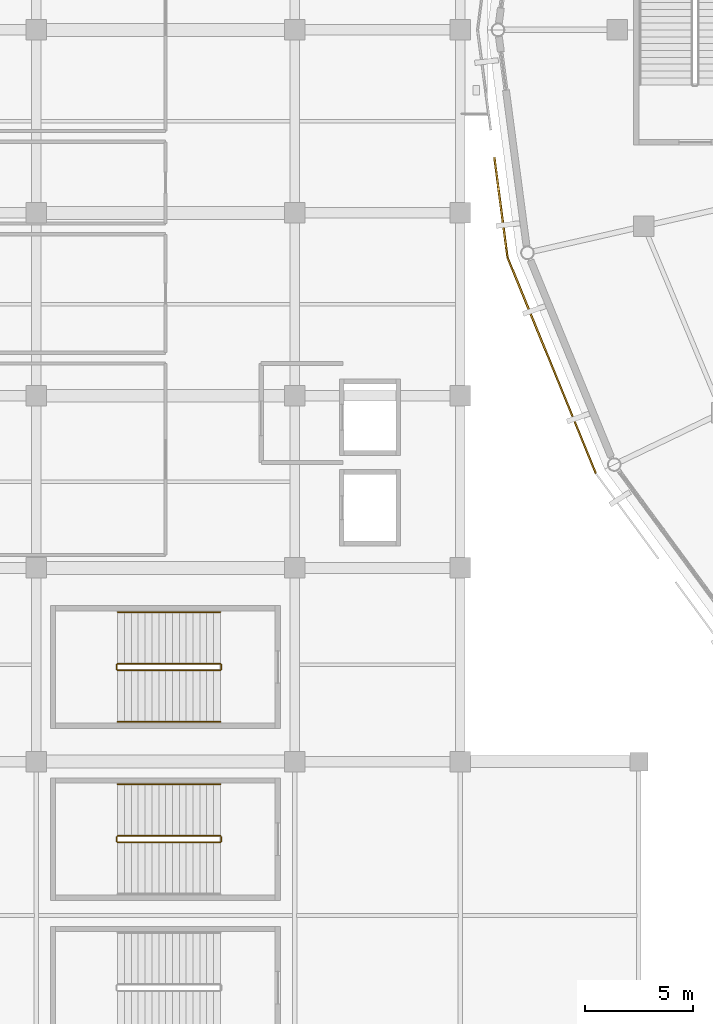
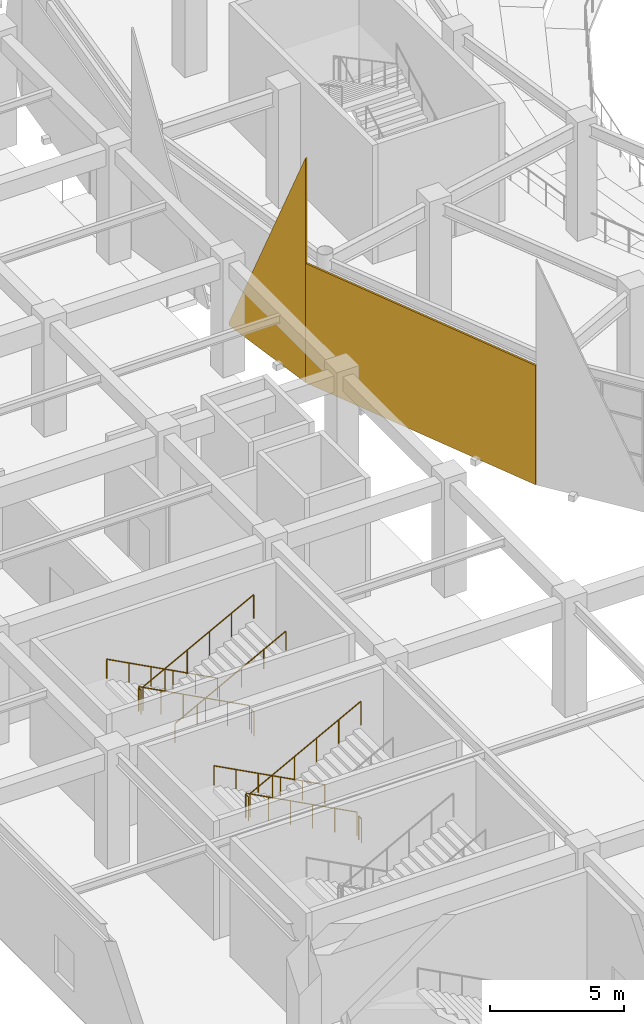
# One storey, part 94 of 120: 11 railings, 2 coverings.
"""IFC4 building model written with IfcOpenShell, lengths in metres."""

from ifc_helpers import new_model, si_unit, direction, frame, frame_2d, origin, origin_2d, place, context, subcontext, project, spatial, polyline, rectangle, circle, outline, extrude, material, layer, layer_set, type_object, element, save


model = new_model("IFC4")

# Units and contexts
model_context = context("Model", 3, precision=1e-05, world=origin(), true_north=direction((0.0, 1.0)))
body_context = subcontext(model_context, "Body", "Model", "MODEL_VIEW")
ifc_project = project(units=[si_unit("LENGTHUNIT", "METRE"), si_unit("AREAUNIT", "SQUARE_METRE"), si_unit("VOLUMEUNIT", "CUBIC_METRE"), si_unit("PLANEANGLEUNIT", "RADIAN"), si_unit("MASSUNIT", "GRAM", prefix="KILO")], contexts=[model_context])

# Site, building, storey
site_placement = place(None, origin())
site = spatial("IfcSite", under=ifc_project, at=site_placement, CompositionType="ELEMENT")
building_placement = place(site_placement, origin())
building = spatial("IfcBuilding", under=site, at=building_placement, Name="Cuetzalor Civic Arena", CompositionType="ELEMENT")
storey_placement = place(building_placement, frame((0.0, 0.0, 6.0)))
storey = spatial("IfcBuildingStorey", under=building, at=storey_placement, Name="L01", CompositionType="ELEMENT", Elevation=6.0)

# Railings
ifc_material_1 = material(Name="Reseda-green architectural Steel S355 balustrade", Category="steel")
railing_type_1 = type_object("IfcRailingType", Name="InteriorVoidBalustrade_1100", PredefinedType="BALUSTRADE", material=ifc_material_1)
railing_1_placement = place(storey_placement, frame((-67.449951171875, -37.449951171875, 0.168701171875)))
element("IfcRailing", 1, at=railing_1_placement, inside=storey, type_object=railing_type_1, Name="L01 ST-15 stair guard 1", PredefinedType="BALUSTRADE", context=body_context, shape_type="SweptSolid", body=[
    extrude(circle(Radius=0.02392578125, at=origin_2d()), frame((0.0, 0.0, 1.0810546875), z_axis=(-0.883332211103, 0.0, 0.468747485143), x_axis=(0.0, -1.0, 0.0)), (0.0, 0.0, 1.0), 5.400146484375),
    extrude(circle(Radius=0.02099609375, at=origin_2d()), origin(), (0.0, 0.0, 1.0), 1.056884765625),
    extrude(circle(Radius=0.02099609375, at=origin_2d()), frame((-0.9541015625, 0.0, 0.50634765625)), (0.0, 0.0, 1.0), 1.056884765625),
    extrude(circle(Radius=0.02099609375, at=origin_2d()), frame((-1.907958984375, 0.0, 1.012451171875)), (0.0, 0.0, 1.0), 1.056884765625),
    extrude(circle(Radius=0.02099609375, at=origin_2d()), frame((-2.862060546875, 0.0, 1.518798828125)), (0.0, 0.0, 1.0), 1.056884765625),
    extrude(circle(Radius=0.02099609375, at=origin_2d()), frame((-3.81591796875, 0.0, 2.02490234375)), (0.0, 0.0, 1.0), 1.056884765625),
    extrude(circle(Radius=0.02099609375, at=origin_2d()), frame((-4.77001953125, 0.0, 2.53125)), (0.0, 0.0, 1.0), 1.056884765625),
])
railing_2_placement = place(storey_placement, frame((-72.27001953125, -37.5, 2.699951171875)))
element("IfcRailing", 2, at=railing_2_placement, inside=storey, type_object=railing_type_1, Name="L01 ST-15 stair guard 2", PredefinedType="BALUSTRADE", context=body_context, shape_type="SweptSolid", body=[
    extrude(circle(Radius=0.02392578125, at=origin_2d()), frame((0.0, 0.0, 1.0810546875), z_axis=(0.0, -1.0, 0.0), x_axis=(1.0, 0.0, 0.0)), (0.0, 0.0, 1.0), 0.199951171875),
    extrude(circle(Radius=0.02099609375, at=origin_2d()), origin(), (0.0, 0.0, 1.0), 1.056884765625),
    extrude(circle(Radius=0.02099609375, at=origin_2d()), frame((0.0, -0.199951171875, 0.0)), (0.0, 0.0, 1.0), 1.056884765625),
])
railing_3_placement = place(storey_placement, frame((-72.219970703125, -37.75, 2.86865234375)))
element("IfcRailing", 3, at=railing_3_placement, inside=storey, type_object=railing_type_1, Name="L01 ST-15 stair guard 3", PredefinedType="BALUSTRADE", context=body_context, shape_type="SweptSolid", body=[
    extrude(circle(Radius=0.02392578125, at=origin_2d()), frame((0.0, 0.0, 1.0810546875), z_axis=(0.883332211103, 0.0, 0.468747485143), x_axis=(0.0, 1.0, 0.0)), (0.0, 0.0, 1.0), 5.400146484375),
    extrude(circle(Radius=0.02099609375, at=origin_2d()), origin(), (0.0, 0.0, 1.0), 1.056884765625),
    extrude(circle(Radius=0.02099609375, at=origin_2d()), frame((0.9541015625, 0.0, 0.50634765625)), (0.0, 0.0, 1.0), 1.056884765625),
    extrude(circle(Radius=0.02099609375, at=origin_2d()), frame((1.907958984375, 0.0, 1.012451171875)), (0.0, 0.0, 1.0), 1.056884765625),
    extrude(circle(Radius=0.02099609375, at=origin_2d()), frame((2.862060546875, 0.0, 1.518798828125)), (0.0, 0.0, 1.0), 1.056884765625),
    extrude(circle(Radius=0.02099609375, at=origin_2d()), frame((3.81591796875, 0.0, 2.02490234375)), (0.0, 0.0, 1.0), 1.056884765625),
    extrude(circle(Radius=0.02099609375, at=origin_2d()), frame((4.77001953125, 0.0, 2.53125)), (0.0, 0.0, 1.0), 1.056884765625),
])
railing_4_placement = place(storey_placement, frame((-67.39990234375, -37.5, 0.0)))
element("IfcRailing", 4, at=railing_4_placement, inside=storey, type_object=railing_type_1, Name="L01 ST-15 stair guard 4", PredefinedType="BALUSTRADE", context=body_context, shape_type="SweptSolid", body=[
    extrude(circle(Radius=0.02392578125, at=origin_2d()), frame((0.0, 0.0, 1.0810546875), z_axis=(0.0, -1.0, 0.0), x_axis=(1.0, 0.0, 0.0)), (0.0, 0.0, 1.0), 0.199951171875),
    extrude(circle(Radius=0.02099609375, at=origin_2d()), origin(), (0.0, 0.0, 1.0), 1.056884765625),
    extrude(circle(Radius=0.02099609375, at=origin_2d()), frame((0.0, -0.199951171875, 0.0)), (0.0, 0.0, 1.0), 1.056884765625),
])
railing_5_placement = place(storey_placement, frame((-67.449951171875, -29.449951171875, 0.168701171875)))
element("IfcRailing", 5, at=railing_5_placement, inside=storey, type_object=railing_type_1, Name="L01 ST-16 stair guard 1", PredefinedType="BALUSTRADE", context=body_context, shape_type="SweptSolid", body=[
    extrude(circle(Radius=0.02392578125, at=origin_2d()), frame((0.0, 0.0, 1.0810546875), z_axis=(-0.883332211103, 0.0, 0.468747485143), x_axis=(0.0, -1.0, 0.0)), (0.0, 0.0, 1.0), 5.400146484375),
    extrude(circle(Radius=0.02099609375, at=origin_2d()), origin(), (0.0, 0.0, 1.0), 1.056884765625),
    extrude(circle(Radius=0.02099609375, at=origin_2d()), frame((-0.9541015625, 0.0, 0.50634765625)), (0.0, 0.0, 1.0), 1.056884765625),
    extrude(circle(Radius=0.02099609375, at=origin_2d()), frame((-1.907958984375, 0.0, 1.012451171875)), (0.0, 0.0, 1.0), 1.056884765625),
    extrude(circle(Radius=0.02099609375, at=origin_2d()), frame((-2.862060546875, 0.0, 1.518798828125)), (0.0, 0.0, 1.0), 1.056884765625),
    extrude(circle(Radius=0.02099609375, at=origin_2d()), frame((-3.81591796875, 0.0, 2.02490234375)), (0.0, 0.0, 1.0), 1.056884765625),
    extrude(circle(Radius=0.02099609375, at=origin_2d()), frame((-4.77001953125, 0.0, 2.53125)), (0.0, 0.0, 1.0), 1.056884765625),
])
railing_6_placement = place(storey_placement, frame((-72.27001953125, -29.5, 2.699951171875)))
element("IfcRailing", 6, at=railing_6_placement, inside=storey, type_object=railing_type_1, Name="L01 ST-16 stair guard 2", PredefinedType="BALUSTRADE", context=body_context, shape_type="SweptSolid", body=[
    extrude(circle(Radius=0.02392578125, at=origin_2d()), frame((0.0, 0.0, 1.0810546875), z_axis=(0.0, -1.0, 0.0), x_axis=(1.0, 0.0, 0.0)), (0.0, 0.0, 1.0), 0.199951171875),
    extrude(circle(Radius=0.02099609375, at=origin_2d()), origin(), (0.0, 0.0, 1.0), 1.056884765625),
    extrude(circle(Radius=0.02099609375, at=origin_2d()), frame((0.0, -0.199951171875, 0.0)), (0.0, 0.0, 1.0), 1.056884765625),
])
railing_7_placement = place(storey_placement, frame((-72.219970703125, -29.75, 2.86865234375)))
element("IfcRailing", 7, at=railing_7_placement, inside=storey, type_object=railing_type_1, Name="L01 ST-16 stair guard 3", PredefinedType="BALUSTRADE", context=body_context, shape_type="SweptSolid", body=[
    extrude(circle(Radius=0.02392578125, at=origin_2d()), frame((0.0, 0.0, 1.0810546875), z_axis=(0.883332211103, 0.0, 0.468747485143), x_axis=(0.0, 1.0, 0.0)), (0.0, 0.0, 1.0), 5.400146484375),
    extrude(circle(Radius=0.02099609375, at=origin_2d()), origin(), (0.0, 0.0, 1.0), 1.056884765625),
    extrude(circle(Radius=0.02099609375, at=origin_2d()), frame((0.9541015625, 0.0, 0.50634765625)), (0.0, 0.0, 1.0), 1.056884765625),
    extrude(circle(Radius=0.02099609375, at=origin_2d()), frame((1.907958984375, 0.0, 1.012451171875)), (0.0, 0.0, 1.0), 1.056884765625),
    extrude(circle(Radius=0.02099609375, at=origin_2d()), frame((2.862060546875, 0.0, 1.518798828125)), (0.0, 0.0, 1.0), 1.056884765625),
    extrude(circle(Radius=0.02099609375, at=origin_2d()), frame((3.81591796875, 0.0, 2.02490234375)), (0.0, 0.0, 1.0), 1.056884765625),
    extrude(circle(Radius=0.02099609375, at=origin_2d()), frame((4.77001953125, 0.0, 2.53125)), (0.0, 0.0, 1.0), 1.056884765625),
])
railing_8_placement = place(storey_placement, frame((-67.39990234375, -29.5, 0.0)))
element("IfcRailing", 8, at=railing_8_placement, inside=storey, type_object=railing_type_1, Name="L01 ST-16 stair guard 4", PredefinedType="BALUSTRADE", context=body_context, shape_type="SweptSolid", body=[
    extrude(circle(Radius=0.02392578125, at=origin_2d()), frame((0.0, 0.0, 1.0810546875), z_axis=(0.0, -1.0, 0.0), x_axis=(1.0, 0.0, 0.0)), (0.0, 0.0, 1.0), 0.199951171875),
    extrude(circle(Radius=0.02099609375, at=origin_2d()), origin(), (0.0, 0.0, 1.0), 1.056884765625),
    extrude(circle(Radius=0.02099609375, at=origin_2d()), frame((0.0, -0.199951171875, 0.0)), (0.0, 0.0, 1.0), 1.056884765625),
])
ifc_material_2 = material(Name="Galvanised steel S355", Category="steel")
railing_type_2 = type_object("IfcRailingType", Name="StairPitchHandrail_900", PredefinedType="HANDRAIL", material=ifc_material_2)
for number, where, name in (
    (9, (-67.449951171875, -35.050048828125, 0.168701171875), "L01 ST-15 stair handrail 1"),
    (10, (-67.449951171875, -27.050048828125, 0.168701171875), "L01 ST-16 stair handrail 1"),
):
    element("IfcRailing", number, at=place(storey_placement, frame(where)), inside=storey, type_object=railing_type_2, Name=name, PredefinedType="HANDRAIL", context=body_context, shape_type="SweptSolid", body=[
        extrude(circle(Radius=0.02392578125, at=origin_2d()), frame((0.0, 0.0, 0.8759765625), z_axis=(-0.883332211103, 0.0, 0.468747485143), x_axis=(0.0, -1.0, 0.0)), (0.0, 0.0, 1.0), 5.400146484375),
        extrude(circle(Radius=0.02099609375, at=origin_2d()), origin(), (0.0, 0.0, 1.0), 0.851806640625),
        extrude(circle(Radius=0.02099609375, at=origin_2d()), frame((-0.9541015625, 0.0, 0.50634765625)), (0.0, 0.0, 1.0), 0.851806640625),
        extrude(circle(Radius=0.02099609375, at=origin_2d()), frame((-1.907958984375, 0.0, 1.012451171875)), (0.0, 0.0, 1.0), 0.851806640625),
        extrude(circle(Radius=0.02099609375, at=origin_2d()), frame((-2.862060546875, 0.0, 1.518798828125)), (0.0, 0.0, 1.0), 0.851806640625),
        extrude(circle(Radius=0.02099609375, at=origin_2d()), frame((-3.81591796875, 0.0, 2.02490234375)), (0.0, 0.0, 1.0), 0.851806640625),
        extrude(circle(Radius=0.02099609375, at=origin_2d()), frame((-4.77001953125, 0.0, 2.53125)), (0.0, 0.0, 1.0), 0.851806640625),
    ])
railing_9_placement = place(storey_placement, frame((-72.219970703125, -32.14990234375, 2.86865234375)))
element("IfcRailing", 11, at=railing_9_placement, inside=storey, type_object=railing_type_2, Name="L01 ST-16 stair handrail 2", PredefinedType="HANDRAIL", context=body_context, shape_type="SweptSolid", body=[
    extrude(circle(Radius=0.02392578125, at=origin_2d()), frame((0.0, 0.0, 0.8759765625), z_axis=(0.883332211103, 0.0, 0.468747485143), x_axis=(0.0, 1.0, 0.0)), (0.0, 0.0, 1.0), 5.400146484375),
    extrude(circle(Radius=0.02099609375, at=origin_2d()), origin(), (0.0, 0.0, 1.0), 0.851806640625),
    extrude(circle(Radius=0.02099609375, at=origin_2d()), frame((0.9541015625, 0.0, 0.50634765625)), (0.0, 0.0, 1.0), 0.851806640625),
    extrude(circle(Radius=0.02099609375, at=origin_2d()), frame((1.907958984375, 0.0, 1.012451171875)), (0.0, 0.0, 1.0), 0.851806640625),
    extrude(circle(Radius=0.02099609375, at=origin_2d()), frame((2.862060546875, 0.0, 1.518798828125)), (0.0, 0.0, 1.0), 0.851806640625),
    extrude(circle(Radius=0.02099609375, at=origin_2d()), frame((3.81591796875, 0.0, 2.02490234375)), (0.0, 0.0, 1.0), 0.851806640625),
    extrude(circle(Radius=0.02099609375, at=origin_2d()), frame((4.77001953125, 0.0, 2.53125)), (0.0, 0.0, 1.0), 0.851806640625),
])

# Coverings
ifc_material_3 = material(Name="Terracotta-red perforated anodised aluminium panel", Category="masonry")
ifc_layer = layer(ifc_material_3, 0.080078125)
ifc_layer_set = layer_set([ifc_layer], Name="Terracotta-red perforated anodised aluminium panel")
covering_type = type_object("IfcCoveringType", Name="TerracottaPerforatedScreenPanel", PredefinedType="CLADDING", material=ifc_layer_set)
covering_1_placement = place(storey_placement, frame((-54.1083984375, -10.569580078125, -0.14990234375), z_axis=(0.0, 0.0, 1.0), x_axis=(-0.130533946759, 0.991443840438, 0.0)))
element("IfcCovering", 12, at=covering_1_placement, inside=storey, type_object=covering_type, Name="Terracotta Perforated Triangle Cheek Left S15", PredefinedType="CLADDING", context=body_context, shape_type="SweptSolid", body=[
    extrude(outline(polyline([(0.0, 0.0), (4.690673828125, 0.0), (4.69091796875, 0.139892578125), (0.0, 10.22998046875), (0.0, 0.0)])), frame((0.0, 0.0400390625, 0.0), z_axis=(0.0, -1.0, 0.0), x_axis=(1.0, 0.0, 0.0)), (0.0, 0.0, 1.0), 0.080078125),
])
covering_2_placement = place(storey_placement, frame((-50.00390625, -20.609619140625, -0.14990234375), z_axis=(0.0, 0.0, 1.0), x_axis=(-0.378411973316, 0.925637282336, 0.0)))
element("IfcCovering", 13, at=covering_2_placement, inside=storey, type_object=covering_type, Name="Terracotta Perforated Drum Screen L01-S16", PredefinedType="CLADDING", context=body_context, shape_type="SweptSolid", body=[
    extrude(rectangle(XDim=10.8466796875, YDim=0.080078125, at=frame_2d((5.42333984375, 0.0))), origin(), (0.0, 0.0, 1.0), 5.429931640625),
])

save(model, "model.ifc")
